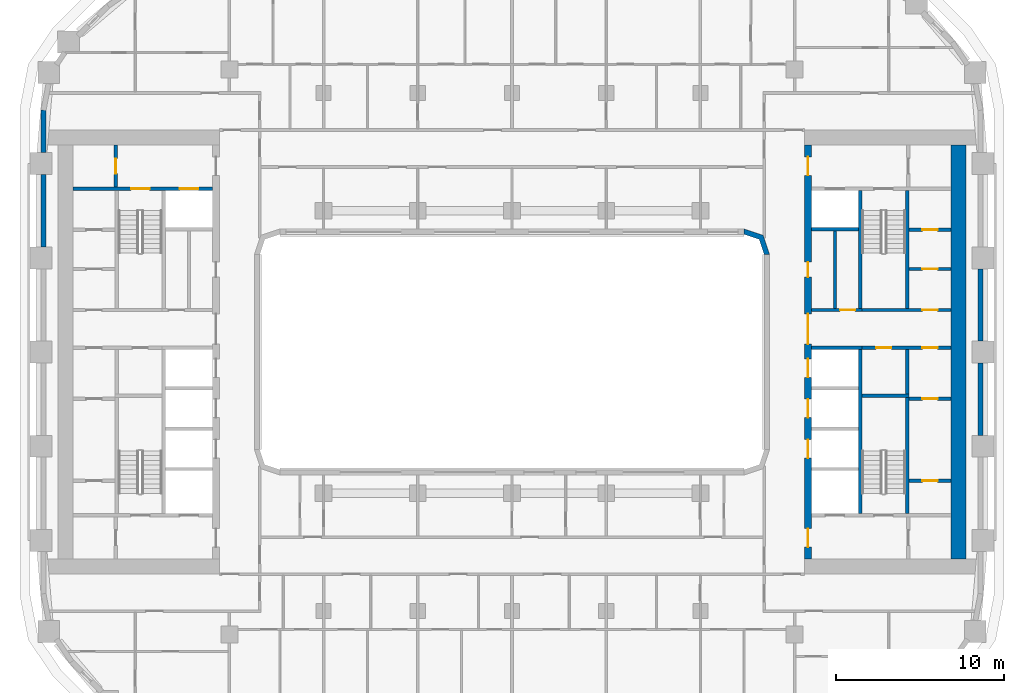
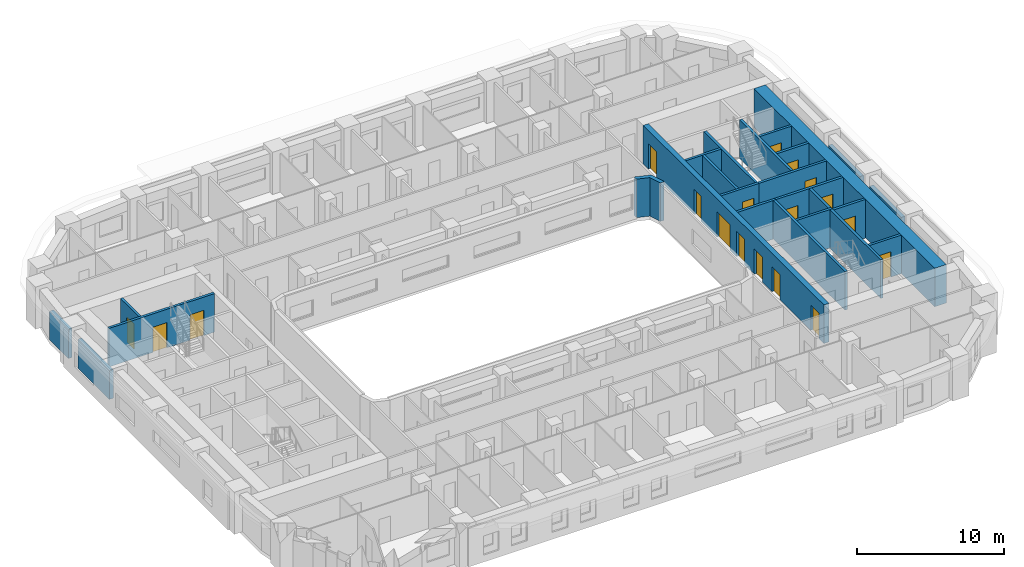
# One storey, part 7 of 22: 25 walls, 18 doors, 18 openings.
"""IFC4 building model written with IfcOpenShell, lengths in metres."""

from ifc_helpers import new_model, si_unit, direction, frame, frame_2d, origin, place, context, subcontext, project, spatial, polyline, rectangle, outline, extrude, material, layer, layer_set, type_object, element, fill, save


model = new_model("IFC4")

# Units and contexts
model_context = context("Model", 3, precision=1e-05, world=origin(), true_north=direction((0.0, 1.0)))
body_context = subcontext(model_context, "Body", "Model", "MODEL_VIEW")
ifc_project = project(units=[si_unit("LENGTHUNIT", "METRE"), si_unit("AREAUNIT", "SQUARE_METRE"), si_unit("VOLUMEUNIT", "CUBIC_METRE"), si_unit("PLANEANGLEUNIT", "RADIAN"), si_unit("MASSUNIT", "GRAM", prefix="KILO")], contexts=[model_context])

# Site, building, storey
site_placement = place(None, origin())
site = spatial("IfcSite", under=ifc_project, at=site_placement, CompositionType="ELEMENT")
building_placement = place(site_placement, origin())
building = spatial("IfcBuilding", under=site, at=building_placement, Name="Kiln Ring Residences", CompositionType="ELEMENT")
storey_placement = place(building_placement, frame((0.0, 0.0, 90.300048828125)))
storey = spatial("IfcBuildingStorey", under=building, at=storey_placement, Name="L22", CompositionType="ELEMENT", Elevation=90.300048828125)

# Wall, opening, door
ifc_material_1 = material(Name="Gypsum board on steel studs", Category="steel")
ifc_layer_1 = layer(ifc_material_1, 0.199951171875)
ifc_layer_set_1 = layer_set([ifc_layer_1], Name="CORE-PARTITION-200")
wall_type_1 = type_object("IfcWallType", Name="CORE-PARTITION-200", PredefinedType="PARTITIONING", material=ifc_layer_set_1)
wall_1_placement = place(storey_placement, frame((-23.550048828125, 9.800048828125, 0.0), z_axis=(0.0, 0.0, 1.0), x_axis=(0.0, 1.0, 0.0)))
wall_1 = element("IfcWall", 1, at=wall_1_placement, inside=storey, type_object=wall_type_1, Name="Core partition west L22 4", PredefinedType="PARTITIONING", context=body_context, shape_type="SweptSolid", body=[
    extrude(rectangle(XDim=2.5, YDim=0.199951171875, at=frame_2d((1.25, 0.0))), origin(), (0.0, 0.0, 1.0), 3.199951171875),
])
opening_1_placement = place(wall_1_placement, frame((0.800048828125, 0.0, 0.0)))
opening_1 = element("IfcOpeningElement", 2, at=opening_1_placement, cuts=wall_1, Name="Opening L22-CW10", PredefinedType="OPENING", context=body_context, shape_type="SweptSolid", body=[
    extrude(rectangle(XDim=0.89990234375, YDim=2.10009765625, at=frame_2d((0.449951171875, 1.050048828125))), frame((0.0, 0.10986328125, 0.0), z_axis=(0.0, -1.0, 0.0), x_axis=(1.0, 0.0, 0.0)), (0.0, 0.0, 1.0), 0.219970703125),
])
ifc_material_2 = material(Name="Steel door leaf", Category="steel")
door_type_1 = type_object("IfcDoorType", Name="CORE-DOOR-ROOM", OperationType="SINGLE_SWING_LEFT", PredefinedType="DOOR", material=ifc_material_2)
door_1_placement = place(opening_1_placement, origin())
door_1 = element("IfcDoor", 3, at=door_1_placement, inside=storey, type_object=door_type_1, Name="Fire riser room L22-CW10", OperationType="SINGLE_SWING_RIGHT", OverallHeight=2.10009765625, OverallWidth=0.89990234375, PredefinedType="DOOR", context=body_context, shape_type="SweptSolid", body=[
    extrude(rectangle(XDim=0.89990234375, YDim=2.10009765625, at=frame_2d((0.449951171875, 1.050048828125))), frame((0.0, 0.02490234375, 0.0), z_axis=(0.0, -1.0, 0.0), x_axis=(1.0, 0.0, 0.0)), (0.0, 0.0, 1.0), 0.050048828125),
])
fill(opening_1, door_1)

# Wall
wall_2_placement = place(storey_placement, frame((23.5, -2.5, 0.0), z_axis=(0.0, 0.0, 1.0), x_axis=(0.0, 1.0, 0.0)))
element("IfcWall", 4, at=wall_2_placement, inside=storey, type_object=wall_type_1, Name="Core partition east L22 1", PredefinedType="PARTITIONING", context=body_context, shape_type="SweptSolid", body=[
    extrude(rectangle(XDim=2.64990234375, YDim=0.199951171875, at=frame_2d((1.324951171875, 0.0))), origin(), (0.0, 0.0, 1.0), 3.199951171875),
])

# Wall, openings, doors
wall_3_placement = place(storey_placement, frame((20.800048828125, 0.25, 0.0), z_axis=(0.0, 0.0, 1.0), x_axis=(1.0, 0.0, 0.0)))
wall_3 = element("IfcWall", 5, at=wall_3_placement, inside=storey, type_object=wall_type_1, Name="Core partition east L22 2", PredefinedType="PARTITIONING", context=body_context, shape_type="SweptSolid", body=[
    extrude(rectangle(XDim=5.300048828125, YDim=0.199951171875, at=frame_2d((2.64990234375, 0.0))), origin(), (0.0, 0.0, 1.0), 3.199951171875),
])
opening_2_placement = place(wall_3_placement, frame((0.85009765625, 0.0, 0.0)))
opening_2 = element("IfcOpeningElement", 6, at=opening_2_placement, cuts=wall_3, Name="Opening L22-CE15", PredefinedType="OPENING", context=body_context, shape_type="SweptSolid", body=[
    extrude(rectangle(XDim=0.89990234375, YDim=2.10009765625, at=frame_2d((0.449951171875, 1.050048828125))), frame((0.0, 0.10986328125, 0.0), z_axis=(0.0, -1.0, 0.0), x_axis=(1.0, 0.0, 0.0)), (0.0, 0.0, 1.0), 0.219970703125),
])
opening_3_placement = place(wall_3_placement, frame((3.60009765625, 0.0, 0.0)))
opening_3 = element("IfcOpeningElement", 7, at=opening_3_placement, cuts=wall_3, Name="Opening L22-CE18", PredefinedType="OPENING", context=body_context, shape_type="SweptSolid", body=[
    extrude(rectangle(XDim=0.89990234375, YDim=2.10009765625, at=frame_2d((0.449951171875, 1.050048828125))), frame((0.0, 0.10986328125, 0.0), z_axis=(0.0, -1.0, 0.0), x_axis=(1.0, 0.0, 0.0)), (0.0, 0.0, 1.0), 0.219970703125),
])
door_2_placement = place(opening_2_placement, origin())
door_2 = element("IfcDoor", 8, at=door_2_placement, inside=storey, type_object=door_type_1, Name="Cleaner's store L22-CE15", OperationType="SINGLE_SWING_RIGHT", OverallHeight=2.10009765625, OverallWidth=0.89990234375, PredefinedType="DOOR", context=body_context, shape_type="SweptSolid", body=[
    extrude(rectangle(XDim=0.89990234375, YDim=2.10009765625, at=frame_2d((0.449951171875, 1.050048828125))), frame((0.0, 0.02490234375, 0.0), z_axis=(0.0, -1.0, 0.0), x_axis=(1.0, 0.0, 0.0)), (0.0, 0.0, 1.0), 0.050048828125),
])
fill(opening_2, door_2)
door_3_placement = place(opening_3_placement, origin())
door_3 = element("IfcDoor", 9, at=door_3_placement, inside=storey, type_object=door_type_1, Name="Battery room L22-CE18", OperationType="SINGLE_SWING_LEFT", OverallHeight=2.10009765625, OverallWidth=0.89990234375, PredefinedType="DOOR", context=body_context, shape_type="SweptSolid", body=[
    extrude(rectangle(XDim=0.89990234375, YDim=2.10009765625, at=frame_2d((0.449951171875, 1.050048828125))), frame((0.0, 0.02490234375, 0.0), z_axis=(0.0, -1.0, 0.0), x_axis=(1.0, 0.0, 0.0)), (0.0, 0.0, 1.0), 0.050048828125),
])
fill(opening_3, door_3)

# Wall
wall_4_placement = place(storey_placement, frame((19.199951171875, 2.60009765625, 0.0), z_axis=(0.0, 0.0, 1.0), x_axis=(0.0, 1.0, 0.0)))
element("IfcWall", 10, at=wall_4_placement, inside=storey, type_object=wall_type_1, Name="Core partition east L22 3", PredefinedType="PARTITIONING", context=body_context, shape_type="SweptSolid", body=[
    extrude(rectangle(XDim=4.599853515625, YDim=0.199951171875, at=frame_2d((2.2998046875, 0.0))), origin(), (0.0, 0.0, 1.0), 3.199951171875),
])

# Wall, opening, door
wall_5_placement = place(storey_placement, frame((23.60009765625, -7.64990234375, 0.0), z_axis=(0.0, 0.0, 1.0), x_axis=(1.0, 0.0, 0.0)))
wall_5 = element("IfcWall", 11, at=wall_5_placement, inside=storey, type_object=wall_type_1, Name="Core partition east L22 6", PredefinedType="PARTITIONING", context=body_context, shape_type="SweptSolid", body=[
    extrude(rectangle(XDim=2.5, YDim=0.199951171875, at=frame_2d((1.25, 0.0))), origin(), (0.0, 0.0, 1.0), 3.199951171875),
])
opening_4_placement = place(wall_5_placement, frame((0.800048828125, 0.0, 0.0)))
opening_4 = element("IfcOpeningElement", 12, at=opening_4_placement, cuts=wall_5, Name="Opening L22-CE16", PredefinedType="OPENING", context=body_context, shape_type="SweptSolid", body=[
    extrude(rectangle(XDim=0.89990234375, YDim=2.10009765625, at=frame_2d((0.449951171875, 1.050048828125))), frame((0.0, 0.10986328125, 0.0), z_axis=(0.0, -1.0, 0.0), x_axis=(1.0, 0.0, 0.0)), (0.0, 0.0, 1.0), 0.219970703125),
])
door_4_placement = place(opening_4_placement, origin())
door_4 = element("IfcDoor", 13, at=door_4_placement, inside=storey, type_object=door_type_1, Name="Plant room L22-CE16", OperationType="SINGLE_SWING_RIGHT", OverallHeight=2.10009765625, OverallWidth=0.89990234375, PredefinedType="DOOR", context=body_context, shape_type="SweptSolid", body=[
    extrude(rectangle(XDim=0.89990234375, YDim=2.10009765625, at=frame_2d((0.449951171875, 1.050048828125))), frame((0.0, 0.02490234375, 0.0), z_axis=(0.0, -1.0, 0.0), x_axis=(1.0, 0.0, 0.0)), (0.0, 0.0, 1.0), 0.050048828125),
])
fill(opening_4, door_4)

wall_6_placement = place(storey_placement, frame((23.60009765625, -2.77490234375, 0.0), z_axis=(0.0, 0.0, 1.0), x_axis=(1.0, 0.0, 0.0)))
wall_6 = element("IfcWall", 14, at=wall_6_placement, inside=storey, type_object=wall_type_1, Name="Core partition east L22 7", PredefinedType="PARTITIONING", context=body_context, shape_type="SweptSolid", body=[
    extrude(rectangle(XDim=2.5, YDim=0.199951171875, at=frame_2d((1.25, 0.0))), origin(), (0.0, 0.0, 1.0), 3.199951171875),
])
opening_5_placement = place(wall_6_placement, frame((0.800048828125, 0.0, 0.0)))
opening_5 = element("IfcOpeningElement", 15, at=opening_5_placement, cuts=wall_6, Name="Opening L22-CE17", PredefinedType="OPENING", context=body_context, shape_type="SweptSolid", body=[
    extrude(rectangle(XDim=0.89990234375, YDim=2.10009765625, at=frame_2d((0.449951171875, 1.050048828125))), frame((0.0, 0.10986328125, 0.0), z_axis=(0.0, -1.0, 0.0), x_axis=(1.0, 0.0, 0.0)), (0.0, 0.0, 1.0), 0.219970703125),
])
door_5_placement = place(opening_5_placement, origin())
door_5 = element("IfcDoor", 16, at=door_5_placement, inside=storey, type_object=door_type_1, Name="Battery room L22-CE17", OperationType="SINGLE_SWING_LEFT", OverallHeight=2.10009765625, OverallWidth=0.89990234375, PredefinedType="DOOR", context=body_context, shape_type="SweptSolid", body=[
    extrude(rectangle(XDim=0.89990234375, YDim=2.10009765625, at=frame_2d((0.449951171875, 1.050048828125))), frame((0.0, 0.02490234375, 0.0), z_axis=(0.0, -1.0, 0.0), x_axis=(1.0, 0.0, 0.0)), (0.0, 0.0, 1.0), 0.050048828125),
])
fill(opening_5, door_5)

wall_7_placement = place(storey_placement, frame((23.60009765625, 4.933349609375, 0.0), z_axis=(0.0, 0.0, 1.0), x_axis=(1.0, 0.0, 0.0)))
wall_7 = element("IfcWall", 17, at=wall_7_placement, inside=storey, type_object=wall_type_1, Name="Core partition east L22 8", PredefinedType="PARTITIONING", context=body_context, shape_type="SweptSolid", body=[
    extrude(rectangle(XDim=2.5, YDim=0.199951171875, at=frame_2d((1.25, 0.0))), origin(), (0.0, 0.0, 1.0), 3.199951171875),
])
opening_6_placement = place(wall_7_placement, frame((0.800048828125, 0.0, 0.0)))
opening_6 = element("IfcOpeningElement", 18, at=opening_6_placement, cuts=wall_7, Name="Opening L22-CE19", PredefinedType="OPENING", context=body_context, shape_type="SweptSolid", body=[
    extrude(rectangle(XDim=0.89990234375, YDim=2.10009765625, at=frame_2d((0.449951171875, 1.050048828125))), frame((0.0, 0.10986328125, 0.0), z_axis=(0.0, -1.0, 0.0), x_axis=(1.0, 0.0, 0.0)), (0.0, 0.0, 1.0), 0.219970703125),
])
door_6_placement = place(opening_6_placement, origin())
door_6 = element("IfcDoor", 19, at=door_6_placement, inside=storey, type_object=door_type_1, Name="Electrical plant room L22-CE19", OperationType="SINGLE_SWING_LEFT", OverallHeight=2.10009765625, OverallWidth=0.89990234375, PredefinedType="DOOR", context=body_context, shape_type="SweptSolid", body=[
    extrude(rectangle(XDim=0.89990234375, YDim=2.10009765625, at=frame_2d((0.449951171875, 1.050048828125))), frame((0.0, 0.02490234375, 0.0), z_axis=(0.0, -1.0, 0.0), x_axis=(1.0, 0.0, 0.0)), (0.0, 0.0, 1.0), 0.050048828125),
])
fill(opening_6, door_6)

wall_8_placement = place(storey_placement, frame((23.60009765625, 7.2666015625, 0.0), z_axis=(0.0, 0.0, 1.0), x_axis=(1.0, 0.0, 0.0)))
wall_8 = element("IfcWall", 20, at=wall_8_placement, inside=storey, type_object=wall_type_1, Name="Core partition east L22 9", PredefinedType="PARTITIONING", context=body_context, shape_type="SweptSolid", body=[
    extrude(rectangle(XDim=2.5, YDim=0.199951171875, at=frame_2d((1.25, 0.0))), origin(), (0.0, 0.0, 1.0), 3.199951171875),
])
opening_7_placement = place(wall_8_placement, frame((0.800048828125, 0.0, 0.0)))
opening_7 = element("IfcOpeningElement", 21, at=opening_7_placement, cuts=wall_8, Name="Opening L22-CE20", PredefinedType="OPENING", context=body_context, shape_type="SweptSolid", body=[
    extrude(rectangle(XDim=0.89990234375, YDim=2.10009765625, at=frame_2d((0.449951171875, 1.050048828125))), frame((0.0, 0.10986328125, 0.0), z_axis=(0.0, -1.0, 0.0), x_axis=(1.0, 0.0, 0.0)), (0.0, 0.0, 1.0), 0.219970703125),
])
door_7_placement = place(opening_7_placement, origin())
door_7 = element("IfcDoor", 22, at=door_7_placement, inside=storey, type_object=door_type_1, Name="Comms room L22-CE20", OperationType="SINGLE_SWING_RIGHT", OverallHeight=2.10009765625, OverallWidth=0.89990234375, PredefinedType="DOOR", context=body_context, shape_type="SweptSolid", body=[
    extrude(rectangle(XDim=0.89990234375, YDim=2.10009765625, at=frame_2d((0.449951171875, 1.050048828125))), frame((0.0, 0.02490234375, 0.0), z_axis=(0.0, -1.0, 0.0), x_axis=(1.0, 0.0, 0.0)), (0.0, 0.0, 1.0), 0.050048828125),
])
fill(opening_7, door_7)

# Wall
ifc_material_3 = material(Name="Gypsum shaft wall system")
ifc_layer_2 = layer(ifc_material_3, 0.199951171875)
ifc_layer_set_2 = layer_set([ifc_layer_2], Name="CORE-SHAFT-WALL-200")
wall_type_2 = type_object("IfcWallType", Name="CORE-SHAFT-WALL-200", PredefinedType="PARTITIONING", material=ifc_layer_set_2)
wall_9_placement = place(storey_placement, frame((17.800048828125, 0.25, 0.0), z_axis=(0.0, 0.0, 1.0), x_axis=(1.0, 0.0, 0.0)))
element("IfcWall", 23, at=wall_9_placement, inside=storey, type_object=wall_type_2, Name="Core partition east L22 13", PredefinedType="PARTITIONING", context=body_context, shape_type="SweptSolid", body=[
    extrude(rectangle(XDim=3.0, YDim=0.199951171875, at=frame_2d((1.5, 0.0))), origin(), (0.0, 0.0, 1.0), 3.199951171875),
])

# Wall, opening, door
wall_10_placement = place(storey_placement, frame((17.800048828125, 2.5, 0.0), z_axis=(0.0, 0.0, 1.0), x_axis=(1.0, 0.0, 0.0)))
wall_10 = element("IfcWall", 24, at=wall_10_placement, inside=storey, type_object=wall_type_2, Name="Core partition east L22 14", PredefinedType="PARTITIONING", context=body_context, shape_type="SweptSolid", body=[
    extrude(rectangle(XDim=3.0, YDim=0.199951171875, at=frame_2d((1.5, 0.0))), origin(), (0.0, 0.0, 1.0), 3.199951171875),
])
opening_8_placement = place(wall_10_placement, frame((1.699951171875, 0.0, 0.0)))
opening_8 = element("IfcOpeningElement", 25, at=opening_8_placement, cuts=wall_10, Name="Opening L22-CE06", PredefinedType="OPENING", context=body_context, shape_type="SweptSolid", body=[
    extrude(rectangle(XDim=0.89990234375, YDim=2.10009765625, at=frame_2d((0.449951171875, 1.050048828125))), frame((0.0, 0.10986328125, 0.0), z_axis=(0.0, -1.0, 0.0), x_axis=(1.0, 0.0, 0.0)), (0.0, 0.0, 1.0), 0.219970703125),
])
door_8_placement = place(opening_8_placement, origin())
door_8 = element("IfcDoor", 26, at=door_8_placement, inside=storey, type_object=door_type_1, Name="Cleaner's store L22-CE06", OperationType="SINGLE_SWING_RIGHT", OverallHeight=2.10009765625, OverallWidth=0.89990234375, PredefinedType="DOOR", context=body_context, shape_type="SweptSolid", body=[
    extrude(rectangle(XDim=0.89990234375, YDim=2.10009765625, at=frame_2d((0.449951171875, 1.050048828125))), frame((0.0, 0.02490234375, 0.0), z_axis=(0.0, -1.0, 0.0), x_axis=(1.0, 0.0, 0.0)), (0.0, 0.0, 1.0), 0.050048828125),
])
fill(opening_8, door_8)

# Wall
wall_11_placement = place(storey_placement, frame((17.800048828125, 7.300048828125, 0.0), z_axis=(0.0, 0.0, 1.0), x_axis=(1.0, 0.0, 0.0)))
element("IfcWall", 27, at=wall_11_placement, inside=storey, type_object=wall_type_2, Name="Core partition east L22 15", PredefinedType="PARTITIONING", context=body_context, shape_type="SweptSolid", body=[
    extrude(rectangle(XDim=2.800048828125, YDim=0.199951171875, at=frame_2d((1.39990234375, 0.0))), origin(), (0.0, 0.0, 1.0), 3.199951171875),
])

# Wall, openings, doors
ifc_material_4 = material(Name="Concrete C40/50", Category="concrete")
ifc_layer_3 = layer(ifc_material_4, 0.199951171875)
ifc_layer_set_3 = layer_set([ifc_layer_3], Name="CORE-WALL-RC200")
wall_type_3 = type_object("IfcWallType", Name="CORE-WALL-RC200", PredefinedType="SHEAR", material=ifc_layer_set_3)
wall_12_placement = place(storey_placement, frame((-17.800048828125, 9.699951171875, 0.0), z_axis=(0.0, 0.0, 1.0), x_axis=(-1.0, 0.0, 0.0)))
wall_12 = element("IfcWall", 28, at=wall_12_placement, inside=storey, type_object=wall_type_3, Name="Core wall west L22 9", PredefinedType="SHEAR", context=body_context, shape_type="SweptSolid", body=[
    extrude(rectangle(XDim=8.300048828125, YDim=0.199951171875, at=frame_2d((4.14990234375, 0.0))), origin(), (0.0, 0.0, 1.0), 3.199951171875),
])
opening_9_placement = place(wall_12_placement, frame((0.85009765625, 0.0, 0.0)))
opening_9 = element("IfcOpeningElement", 29, at=opening_9_placement, cuts=wall_12, Name="Opening L22-CW07", PredefinedType="OPENING", context=body_context, shape_type="SweptSolid", body=[
    extrude(rectangle(XDim=1.10009765625, YDim=2.10009765625, at=frame_2d((0.550048828125, 1.050048828125))), frame((0.0, 0.10986328125, 0.0), z_axis=(0.0, -1.0, 0.0), x_axis=(1.0, 0.0, 0.0)), (0.0, 0.0, 1.0), 0.219970703125),
])
opening_10_placement = place(wall_12_placement, frame((3.75, 0.0, 0.0)))
opening_10 = element("IfcOpeningElement", 30, at=opening_10_placement, cuts=wall_12, Name="Opening L22-CW12", PredefinedType="OPENING", context=body_context, shape_type="SweptSolid", body=[
    extrude(rectangle(XDim=1.10009765625, YDim=2.10009765625, at=frame_2d((0.550048828125, 1.050048828125))), frame((0.0, 0.10986328125, 0.0), z_axis=(0.0, -1.0, 0.0), x_axis=(1.0, 0.0, 0.0)), (0.0, 0.0, 1.0), 0.219970703125),
])
ifc_material_5 = material(Name="Steel door leaf", Category="steel")
door_type_2 = type_object("IfcDoorType", Name="CORE-DOOR-LD", OperationType="DOUBLE_DOOR_SLIDING", PredefinedType="DOOR", material=ifc_material_5)
door_9_placement = place(opening_9_placement, origin())
door_9 = element("IfcDoor", 31, at=door_9_placement, inside=storey, type_object=door_type_2, Name="LD W-FF L22-CW07", OperationType="DOUBLE_DOOR_SLIDING", OverallHeight=2.10009765625, OverallWidth=1.10009765625, PredefinedType="DOOR", context=body_context, shape_type="SweptSolid", body=[
    extrude(rectangle(XDim=1.10009765625, YDim=2.10009765625, at=frame_2d((0.550048828125, 1.050048828125))), frame((0.0, 0.02490234375, 0.0), z_axis=(0.0, -1.0, 0.0), x_axis=(1.0, 0.0, 0.0)), (0.0, 0.0, 1.0), 0.050048828125),
])
fill(opening_9, door_9)
ifc_material_6 = material(Name="Steel door leaf", Category="steel")
door_type_3 = type_object("IfcDoorType", Name="CORE-DOOR-STAIR", OperationType="SINGLE_SWING_LEFT", PredefinedType="DOOR", material=ifc_material_6)
door_10_placement = place(opening_10_placement, origin())
door_10 = element("IfcDoor", 32, at=door_10_placement, inside=storey, type_object=door_type_3, Name="Stair W-STN L22-CW12", OperationType="SINGLE_SWING_RIGHT", OverallHeight=2.10009765625, OverallWidth=1.10009765625, PredefinedType="DOOR", context=body_context, shape_type="SweptSolid", body=[
    extrude(rectangle(XDim=1.10009765625, YDim=2.10009765625, at=frame_2d((0.550048828125, 1.050048828125))), frame((0.0, 0.02490234375, 0.0), z_axis=(0.0, -1.0, 0.0), x_axis=(1.0, 0.0, 0.0)), (0.0, 0.0, 1.0), 0.050048828125),
])
fill(opening_10, door_10)

# Walls
wall_13_placement = place(storey_placement, frame((20.699951171875, 2.60009765625, 0.0), z_axis=(0.0, 0.0, 1.0), x_axis=(0.0, 1.0, 0.0)))
element("IfcWall", 33, at=wall_13_placement, inside=storey, type_object=wall_type_3, Name="Core wall east L22 1", PredefinedType="SHEAR", context=body_context, shape_type="SweptSolid", body=[
    extrude(rectangle(XDim=7.0, YDim=0.199951171875, at=frame_2d((3.5, 0.0))), origin(), (0.0, 0.0, 1.0), 3.199951171875),
])
wall_14_placement = place(storey_placement, frame((20.699951171875, -9.60009765625, 0.0), z_axis=(0.0, 0.0, 1.0), x_axis=(0.0, 1.0, 0.0)))
element("IfcWall", 34, at=wall_14_placement, inside=storey, type_object=wall_type_3, Name="Core wall east L22 2", PredefinedType="SHEAR", context=body_context, shape_type="SweptSolid", body=[
    extrude(rectangle(XDim=9.75, YDim=0.199951171875, at=frame_2d((4.875, 0.0))), origin(), (0.0, 0.0, 1.0), 3.199951171875),
])

# Wall, opening, door
wall_15_placement = place(storey_placement, frame((20.800048828125, 2.5, 0.0), z_axis=(0.0, 0.0, 1.0), x_axis=(1.0, 0.0, 0.0)))
wall_15 = element("IfcWall", 35, at=wall_15_placement, inside=storey, type_object=wall_type_3, Name="Core wall east L22 3", PredefinedType="SHEAR", context=body_context, shape_type="SweptSolid", body=[
    extrude(rectangle(XDim=5.300048828125, YDim=0.199951171875, at=frame_2d((2.64990234375, 0.0))), origin(), (0.0, 0.0, 1.0), 3.199951171875),
])
opening_11_placement = place(wall_15_placement, frame((3.60009765625, 0.0, 0.0)))
opening_11 = element("IfcOpeningElement", 36, at=opening_11_placement, cuts=wall_15, Name="Opening L22-CE21", PredefinedType="OPENING", context=body_context, shape_type="SweptSolid", body=[
    extrude(rectangle(XDim=0.89990234375, YDim=2.10009765625, at=frame_2d((0.449951171875, 1.050048828125))), frame((0.0, 0.10986328125, 0.0), z_axis=(0.0, -1.0, 0.0), x_axis=(1.0, 0.0, 0.0)), (0.0, 0.0, 1.0), 0.219970703125),
])
door_11_placement = place(opening_11_placement, origin())
door_11 = element("IfcDoor", 37, at=door_11_placement, inside=storey, type_object=door_type_1, Name="UPS room L22-CE21", OperationType="SINGLE_SWING_LEFT", OverallHeight=2.10009765625, OverallWidth=0.89990234375, PredefinedType="DOOR", context=body_context, shape_type="SweptSolid", body=[
    extrude(rectangle(XDim=0.89990234375, YDim=2.10009765625, at=frame_2d((0.449951171875, 1.050048828125))), frame((0.0, 0.02490234375, 0.0), z_axis=(0.0, -1.0, 0.0), x_axis=(1.0, 0.0, 0.0)), (0.0, 0.0, 1.0), 0.050048828125),
])
fill(opening_11, door_11)

# Walls
wall_16_placement = place(storey_placement, frame((23.5, 2.60009765625, 0.0), z_axis=(0.0, 0.0, 1.0), x_axis=(0.0, 1.0, 0.0)))
element("IfcWall", 38, at=wall_16_placement, inside=storey, type_object=wall_type_3, Name="Core wall east L22 10", PredefinedType="SHEAR", context=body_context, shape_type="SweptSolid", body=[
    extrude(rectangle(XDim=7.0, YDim=0.199951171875, at=frame_2d((3.5, 0.0))), origin(), (0.0, 0.0, 1.0), 3.199951171875),
])
wall_17_placement = place(storey_placement, frame((23.5, -9.60009765625, 0.0), z_axis=(0.0, 0.0, 1.0), x_axis=(0.0, 1.0, 0.0)))
element("IfcWall", 39, at=wall_17_placement, inside=storey, type_object=wall_type_3, Name="Core wall east L22 11", PredefinedType="SHEAR", context=body_context, shape_type="SweptSolid", body=[
    extrude(rectangle(XDim=6.900146484375, YDim=0.199951171875, at=frame_2d((3.4501953125, 0.0))), origin(), (0.0, 0.0, 1.0), 3.199951171875),
])
wall_18_placement = place(storey_placement, frame((20.800048828125, -2.60009765625, 0.0), z_axis=(0.0, 0.0, 1.0), x_axis=(1.0, 0.0, 0.0)))
element("IfcWall", 40, at=wall_18_placement, inside=storey, type_object=wall_type_3, Name="Core wall east L22 12", PredefinedType="SHEAR", context=body_context, shape_type="SweptSolid", body=[
    extrude(rectangle(XDim=2.800048828125, YDim=0.199951171875, at=frame_2d((1.39990234375, 0.0))), origin(), (0.0, 0.0, 1.0), 3.199951171875),
])

# Wall, openings, doors
ifc_material_7 = material(Name="Concrete C60/75", Category="concrete")
ifc_layer_4 = layer(ifc_material_7, 0.39990234375)
ifc_layer_set_4 = layer_set([ifc_layer_4], Name="CORE-WALL-RC400")
wall_type_4 = type_object("IfcWallType", Name="CORE-WALL-RC400", PredefinedType="SHEAR", material=ifc_layer_set_4)
wall_19_placement = place(storey_placement, frame((17.60009765625, -12.300048828125, 0.0), z_axis=(0.0, 0.0, 1.0), x_axis=(0.0, 1.0, 0.0)))
wall_19 = element("IfcWall", 41, at=wall_19_placement, inside=storey, type_object=wall_type_4, Name="Core wall east L22 6", PredefinedType="SHEAR", context=body_context, shape_type="SweptSolid", body=[
    extrude(rectangle(XDim=24.60009765625, YDim=0.39990234375, at=frame_2d((12.300048828125, 0.0))), origin(), (0.0, 0.0, 1.0), 3.199951171875),
])
opening_12_placement = place(wall_19_placement, frame((6.0, 0.0, 0.0)))
opening_12 = element("IfcOpeningElement", 42, at=opening_12_placement, cuts=wall_19, Name="Opening L22-CE02", PredefinedType="OPENING", context=body_context, shape_type="SweptSolid", body=[
    extrude(rectangle(XDim=1.10009765625, YDim=2.10009765625, at=frame_2d((0.550048828125, 1.050048828125))), frame((0.0, 0.2099609375, 0.0), z_axis=(0.0, -1.0, 0.0), x_axis=(1.0, 0.0, 0.0)), (0.0, 0.0, 1.0), 0.419921875),
])
opening_13_placement = place(wall_19_placement, frame((8.39990234375, 0.0, 0.0)))
opening_13 = element("IfcOpeningElement", 43, at=opening_13_placement, cuts=wall_19, Name="Opening L22-CE03", PredefinedType="OPENING", context=body_context, shape_type="SweptSolid", body=[
    extrude(rectangle(XDim=1.10009765625, YDim=2.10009765625, at=frame_2d((0.550048828125, 1.050048828125))), frame((0.0, 0.2099609375, 0.0), z_axis=(0.0, -1.0, 0.0), x_axis=(1.0, 0.0, 0.0)), (0.0, 0.0, 1.0), 0.419921875),
])
opening_14_placement = place(wall_19_placement, frame((10.800048828125, 0.0, 0.0)))
opening_14 = element("IfcOpeningElement", 44, at=opening_14_placement, cuts=wall_19, Name="Opening L22-CE04", PredefinedType="OPENING", context=body_context, shape_type="SweptSolid", body=[
    extrude(rectangle(XDim=1.10009765625, YDim=2.10009765625, at=frame_2d((0.550048828125, 1.050048828125))), frame((0.0, 0.2099609375, 0.0), z_axis=(0.0, -1.0, 0.0), x_axis=(1.0, 0.0, 0.0)), (0.0, 0.0, 1.0), 0.419921875),
])
opening_15_placement = place(wall_19_placement, frame((16.75, 0.0, 0.0)))
opening_15 = element("IfcOpeningElement", 45, at=opening_15_placement, cuts=wall_19, Name="Opening L22-CE05", PredefinedType="OPENING", context=body_context, shape_type="SweptSolid", body=[
    extrude(rectangle(XDim=0.89990234375, YDim=2.10009765625, at=frame_2d((0.449951171875, 1.050048828125))), frame((0.0, 0.2099609375, 0.0), z_axis=(0.0, -1.0, 0.0), x_axis=(1.0, 0.0, 0.0)), (0.0, 0.0, 1.0), 0.419921875),
])
opening_16_placement = place(wall_19_placement, frame((22.800048828125, 0.0, 0.0)))
opening_16 = element("IfcOpeningElement", 46, at=opening_16_placement, cuts=wall_19, Name="Opening L22-CE08", PredefinedType="OPENING", context=body_context, shape_type="SweptSolid", body=[
    extrude(rectangle(XDim=1.10009765625, YDim=2.10009765625, at=frame_2d((0.550048828125, 1.050048828125))), frame((0.0, 0.2099609375, 0.0), z_axis=(0.0, -1.0, 0.0), x_axis=(1.0, 0.0, 0.0)), (0.0, 0.0, 1.0), 0.419921875),
])
opening_17_placement = place(wall_19_placement, frame((0.699951171875, 0.0, 0.0)))
opening_17 = element("IfcOpeningElement", 47, at=opening_17_placement, cuts=wall_19, Name="Opening L22-CE09", PredefinedType="OPENING", context=body_context, shape_type="SweptSolid", body=[
    extrude(rectangle(XDim=1.10009765625, YDim=2.10009765625, at=frame_2d((0.550048828125, 1.050048828125))), frame((0.0, 0.2099609375, 0.0), z_axis=(0.0, -1.0, 0.0), x_axis=(1.0, 0.0, 0.0)), (0.0, 0.0, 1.0), 0.419921875),
])
opening_18_placement = place(wall_19_placement, frame((12.77490234375, 0.0, 0.0)))
opening_18 = element("IfcOpeningElement", 48, at=opening_18_placement, cuts=wall_19, Name="Opening L22-CE14", PredefinedType="OPENING", context=body_context, shape_type="SweptSolid", body=[
    extrude(rectangle(XDim=1.800048828125, YDim=2.10009765625, at=frame_2d((0.89990234375, 1.050048828125))), frame((0.0, 0.2099609375, 0.0), z_axis=(0.0, -1.0, 0.0), x_axis=(1.0, 0.0, 0.0)), (0.0, 0.0, 1.0), 0.419921875),
])
door_12_placement = place(opening_12_placement, origin())
door_12 = element("IfcDoor", 49, at=door_12_placement, inside=storey, type_object=door_type_2, Name="LD E-L1 L22-CE02", OperationType="DOUBLE_DOOR_SLIDING", OverallHeight=2.10009765625, OverallWidth=1.10009765625, PredefinedType="DOOR", context=body_context, shape_type="SweptSolid", body=[
    extrude(rectangle(XDim=1.10009765625, YDim=2.10009765625, at=frame_2d((0.550048828125, 1.050048828125))), frame((0.0, 0.02490234375, 0.0), z_axis=(0.0, -1.0, 0.0), x_axis=(1.0, 0.0, 0.0)), (0.0, 0.0, 1.0), 0.050048828125),
])
fill(opening_12, door_12)
door_13_placement = place(opening_13_placement, origin())
door_13 = element("IfcDoor", 50, at=door_13_placement, inside=storey, type_object=door_type_2, Name="LD E-L2 L22-CE03", OperationType="DOUBLE_DOOR_SLIDING", OverallHeight=2.10009765625, OverallWidth=1.10009765625, PredefinedType="DOOR", context=body_context, shape_type="SweptSolid", body=[
    extrude(rectangle(XDim=1.10009765625, YDim=2.10009765625, at=frame_2d((0.550048828125, 1.050048828125))), frame((0.0, 0.02490234375, 0.0), z_axis=(0.0, -1.0, 0.0), x_axis=(1.0, 0.0, 0.0)), (0.0, 0.0, 1.0), 0.050048828125),
])
fill(opening_13, door_13)
door_14_placement = place(opening_14_placement, origin())
door_14 = element("IfcDoor", 51, at=door_14_placement, inside=storey, type_object=door_type_2, Name="LD E-L3 L22-CE04", OperationType="DOUBLE_DOOR_SLIDING", OverallHeight=2.10009765625, OverallWidth=1.10009765625, PredefinedType="DOOR", context=body_context, shape_type="SweptSolid", body=[
    extrude(rectangle(XDim=1.10009765625, YDim=2.10009765625, at=frame_2d((0.550048828125, 1.050048828125))), frame((0.0, 0.02490234375, 0.0), z_axis=(0.0, -1.0, 0.0), x_axis=(1.0, 0.0, 0.0)), (0.0, 0.0, 1.0), 0.050048828125),
])
fill(opening_14, door_14)
ifc_material_8 = material(Name="Steel door leaf", Category="steel")
door_type_4 = type_object("IfcDoorType", Name="CORE-DOOR-LOBBY", OperationType="SINGLE_SWING_LEFT", PredefinedType="DOOR", material=ifc_material_8)
door_15_placement = place(opening_16_placement, origin())
door_15 = element("IfcDoor", 52, at=door_15_placement, inside=storey, type_object=door_type_4, Name="FFL L22-CE08", OperationType="SINGLE_SWING_RIGHT", OverallHeight=2.10009765625, OverallWidth=1.10009765625, PredefinedType="DOOR", context=body_context, shape_type="SweptSolid", body=[
    extrude(rectangle(XDim=1.10009765625, YDim=2.10009765625, at=frame_2d((0.550048828125, 1.050048828125))), frame((0.0, 0.02490234375, 0.0), z_axis=(0.0, -1.0, 0.0), x_axis=(1.0, 0.0, 0.0)), (0.0, 0.0, 1.0), 0.050048828125),
])
fill(opening_16, door_15)
door_16_placement = place(opening_17_placement, origin())
door_16 = element("IfcDoor", 53, at=door_16_placement, inside=storey, type_object=door_type_4, Name="SVL L22-CE09", OperationType="SINGLE_SWING_LEFT", OverallHeight=2.10009765625, OverallWidth=1.10009765625, PredefinedType="DOOR", context=body_context, shape_type="SweptSolid", body=[
    extrude(rectangle(XDim=1.10009765625, YDim=2.10009765625, at=frame_2d((0.550048828125, 1.050048828125))), frame((0.0, 0.02490234375, 0.0), z_axis=(0.0, -1.0, 0.0), x_axis=(1.0, 0.0, 0.0)), (0.0, 0.0, 1.0), 0.050048828125),
])
fill(opening_17, door_16)
ifc_material_9 = material(Name="Steel door leaf", Category="steel")
door_type_5 = type_object("IfcDoorType", Name="CORE-DOOR-PASS", OperationType="DOUBLE_DOOR_SINGLE_SWING", PredefinedType="DOOR", material=ifc_material_9)
door_17_placement = place(opening_18_placement, origin())
door_17 = element("IfcDoor", 54, at=door_17_placement, inside=storey, type_object=door_type_5, Name="Core passage L22-CE14", OperationType="DOUBLE_DOOR_SINGLE_SWING", OverallHeight=2.10009765625, OverallWidth=1.800048828125, PredefinedType="DOOR", context=body_context, shape_type="SweptSolid", body=[
    extrude(rectangle(XDim=1.800048828125, YDim=2.10009765625, at=frame_2d((0.89990234375, 1.050048828125))), frame((0.0, 0.02490234375, 0.0), z_axis=(0.0, -1.0, 0.0), x_axis=(1.0, 0.0, 0.0)), (0.0, 0.0, 1.0), 0.050048828125),
])
fill(opening_18, door_17)
door_18_placement = place(opening_15_placement, origin())
door_18 = element("IfcDoor", 55, at=door_18_placement, inside=storey, type_object=door_type_1, Name="Storage room L22-CE05", OperationType="SINGLE_SWING_RIGHT", OverallHeight=2.10009765625, OverallWidth=0.89990234375, PredefinedType="DOOR", context=body_context, shape_type="SweptSolid", body=[
    extrude(rectangle(XDim=0.89990234375, YDim=2.10009765625, at=frame_2d((0.449951171875, 1.050048828125))), frame((0.0, 0.02490234375, 0.0), z_axis=(0.0, -1.0, 0.0), x_axis=(1.0, 0.0, 0.0)), (0.0, 0.0, 1.0), 0.050048828125),
])
fill(opening_15, door_18)

# Walls
ifc_material_10 = material(Name="Concrete C60/75", Category="concrete")
ifc_layer_5 = layer(ifc_material_10, 0.89990234375)
ifc_layer_set_5 = layer_set([ifc_layer_5], Name="CORE-WALL-RC900")
wall_type_5 = type_object("IfcWallType", Name="CORE-WALL-RC900", PredefinedType="SHEAR", material=ifc_layer_set_5)
wall_20_placement = place(storey_placement, frame((26.550048828125, -12.300048828125, 0.0), z_axis=(0.0, 0.0, 1.0), x_axis=(0.0, 1.0, 0.0)))
element("IfcWall", 56, at=wall_20_placement, inside=storey, type_object=wall_type_5, Name="Core wall east L22 7", PredefinedType="SHEAR", context=body_context, shape_type="SweptSolid", body=[
    extrude(rectangle(XDim=24.60009765625, YDim=0.89990234375, at=frame_2d((12.300048828125, 0.0))), origin(), (0.0, 0.0, 1.0), 3.199951171875),
])
ifc_material_11 = material(Name="Brick masonry, dark clay brick", Category="masonry")
ifc_layer_6 = layer(ifc_material_11, 0.300048828125)
ifc_layer_set_6 = layer_set([ifc_layer_6], Name="EW-300 BRICK WALL")
wall_type_6 = type_object("IfcWallType", Name="EW-300 BRICK WALL", PredefinedType="SOLIDWALL", material=ifc_layer_set_6)
for number, where, z_axis, x_axis, name in (
    (57, (27.85009765625, -4.949951171875, 0.0), (0.0, 0.0, 1.0), (0.0, 1.0, 0.0), "Facade wall L22 19"),
    (58, (27.85009765625, 0.64990234375, 0.0), (0.0, 0.0, 1.0), (0.0, 1.0, 0.0), "Facade wall L22 20"),
):
    element("IfcWall", number, at=place(storey_placement, frame(where, z_axis=z_axis, x_axis=x_axis)), inside=storey, type_object=wall_type_6, Name=name, PredefinedType="SOLIDWALL", context=body_context, shape_type="SweptSolid", body=[
        extrude(rectangle(XDim=4.300048828125, YDim=0.300048828125, at=frame_2d((2.14990234375, 0.0))), origin(), (0.0, 0.0, 1.0), 2.39990234375),
    ])
wall_21_placement = place(storey_placement, frame((-27.85009765625, 14.39990234375, 0.0), z_axis=(0.0, 0.0, 1.0), x_axis=(0.0, -1.0, 0.0)))
element("IfcWall", 59, at=wall_21_placement, inside=storey, type_object=wall_type_6, Name="Facade wall L22 41", PredefinedType="SOLIDWALL", context=body_context, shape_type="SweptSolid", body=[
    extrude(rectangle(XDim=2.5498046875, YDim=0.300048828125, at=frame_2d((1.27490234375, 0.0))), origin(), (0.0, 0.0, 1.0), 2.39990234375),
])
wall_22_placement = place(storey_placement, frame((-27.85009765625, 10.550048828125, 0.0), z_axis=(0.0, 0.0, 1.0), x_axis=(0.0, -1.0, 0.0)))
element("IfcWall", 60, at=wall_22_placement, inside=storey, type_object=wall_type_6, Name="Facade wall L22 42", PredefinedType="SOLIDWALL", context=body_context, shape_type="SweptSolid", body=[
    extrude(rectangle(XDim=4.300048828125, YDim=0.300048828125, at=frame_2d((2.14990234375, 0.0))), origin(), (0.0, 0.0, 1.0), 2.39990234375),
])
wall_23_placement = place(storey_placement, origin())
element("IfcWall", 61, at=wall_23_placement, inside=storey, type_object=wall_type_6, Name="Corner wall L22 2", PredefinedType="SOLIDWALL", context=body_context, shape_type="SweptSolid", body=[
    extrude(outline(polyline([(14.937255859375, 6.937255859375), (13.8486328125, 7.300048828125), (13.800048828125, 7.300048828125), (13.800048828125, 7.0), (14.699951171875, 6.699951171875), (15.0, 5.800048828125), (15.300048828125, 5.800048828125), (15.300048828125, 5.8486328125), (14.937255859375, 6.937255859375)])), origin(), (0.0, 0.0, 1.0), 3.199951171875),
])

save(model, "model.ifc")
